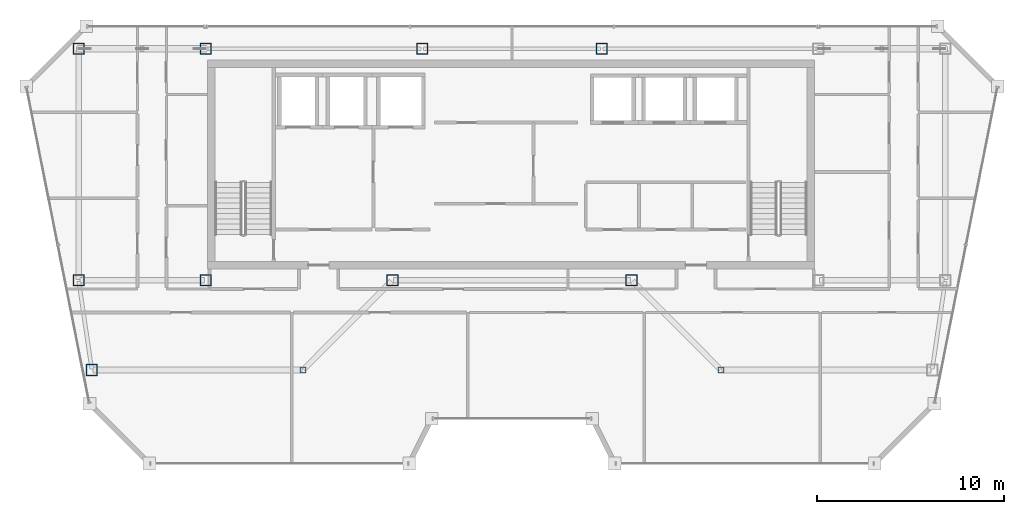
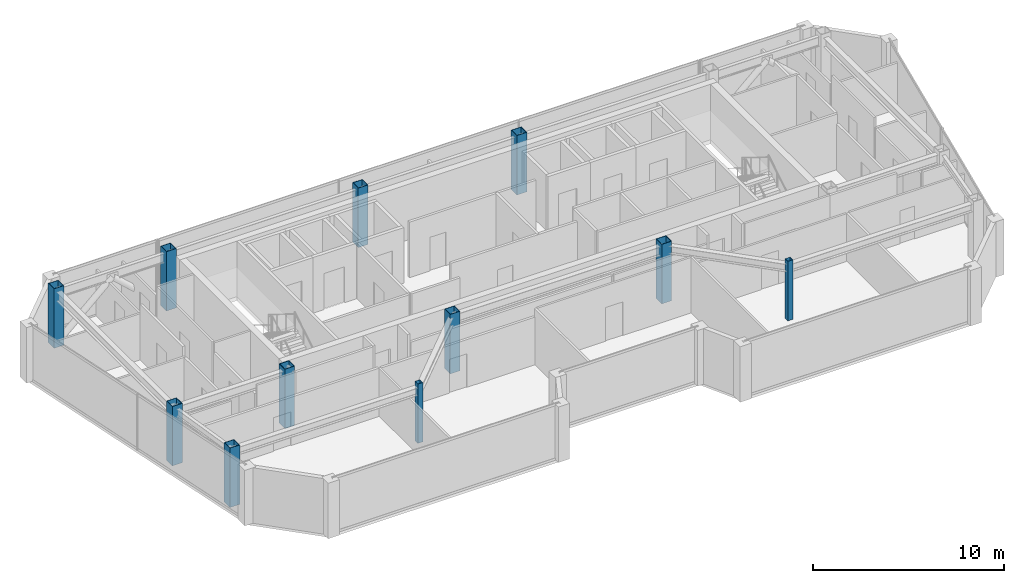
# One storey, part 1 of 24: 11 columns.
"""IFC4 building model written with IfcOpenShell, lengths in metres."""

from ifc_helpers import new_model, si_unit, direction, frame, origin, origin_2d, place, context, subcontext, project, spatial, hollow_rectangle, extrude, material, material_profile, profile_set, type_object, element, save


model = new_model("IFC4")

# Units and contexts
model_context = context("Model", 3, precision=1e-05, world=origin(), true_north=direction((0.0, 1.0)))
body_context = subcontext(model_context, "Body", "Model", "MODEL_VIEW")
ifc_project = project(units=[si_unit("LENGTHUNIT", "METRE"), si_unit("AREAUNIT", "SQUARE_METRE"), si_unit("VOLUMEUNIT", "CUBIC_METRE"), si_unit("PLANEANGLEUNIT", "RADIAN"), si_unit("MASSUNIT", "GRAM", prefix="KILO")], contexts=[model_context])

# Site, building, storey
site_placement = place(None, origin())
site = spatial("IfcSite", under=ifc_project, at=site_placement, CompositionType="ELEMENT")
building_placement = place(site_placement, origin())
building = spatial("IfcBuilding", under=site, at=building_placement, Name="Saevonmaru Cultural Tower", CompositionType="ELEMENT")
storey_placement = place(building_placement, frame((0.0, 0.0, 299.0)))
storey = spatial("IfcBuildingStorey", under=building, at=storey_placement, Name="L71", CompositionType="ELEMENT", Elevation=299.0)

# Columns
ifc_material = material(Name="Steel SM355", Category="steel")
ifc_material_profile_1 = material_profile(ifc_material, hollow_rectangle(XDim=0.60009765625, YDim=0.60009765625, WallThickness=0.028076171875, at=origin_2d()), Name="BOX-600x600x28")
ifc_profile_set_1 = profile_set([ifc_material_profile_1], Name="Steel SM355")
column_type_1 = type_object("IfcColumnType", Name="COL-BOX-600", PredefinedType="COLUMN", material=ifc_profile_set_1)
for number, where, z_axis, x_axis, name in (
    (1, (6.800048828125, 54.800048828125, 0.0), (0.0, 0.0, 1.0), (1.0, 0.0, 0.0), "L71 Column TC-N1N"),
    (2, (13.60009765625, 54.800048828125, 0.0), (0.0, 0.0, 1.0), (1.0, 0.0, 0.0), "L71 Column TC-N2N"),
    (3, (25.199951171875, 54.800048828125, 0.0), (0.0, 0.0, 1.0), (1.0, 0.0, 0.0), "L71 Column TC-N3N"),
    (4, (34.800048828125, 54.800048828125, 0.0), (0.0, 0.0, 1.0), (1.0, 0.0, 0.0), "L71 Column TC-N4N"),
    (5, (6.800048828125, 42.39990234375, 0.0), (0.0, 0.0, 1.0), (1.0, 0.0, 0.0), "L71 Column TC-S1C"),
    (6, (13.60009765625, 42.39990234375, 0.0), (0.0, 0.0, 1.0), (1.0, 0.0, 0.0), "L71 Column TC-S2C"),
    (7, (23.60009765625, 42.39990234375, 0.0), (0.0, 0.0, 1.0), (1.0, 0.0, 0.0), "L71 Column TC-S3C"),
    (8, (36.39990234375, 42.39990234375, 0.0), (0.0, 0.0, 1.0), (1.0, 0.0, 0.0), "L71 Column TC-S4C"),
    (9, (7.508056640625, 37.60009765625, 0.0), (0.0, 0.0, 1.0), (1.0, 0.0, 0.0), "L71 Column TC-WO-Y376"),
):
    element("IfcColumn", number, at=place(storey_placement, frame(where, z_axis=z_axis, x_axis=x_axis)), inside=storey, type_object=column_type_1, Name=name, PredefinedType="COLUMN", context=body_context, shape_type="SweptSolid", body=[
        extrude(hollow_rectangle(XDim=0.60009765625, YDim=0.60009765625, WallThickness=0.028076171875, at=origin_2d()), origin(), (0.0, 0.0, 1.0), 3.800048828125),
    ])
ifc_material_profile_2 = material_profile(ifc_material, hollow_rectangle(XDim=0.300048828125, YDim=0.300048828125, WallThickness=0.011962890625, at=origin_2d()), Name="SHS-300x300x12")
ifc_profile_set_2 = profile_set([ifc_material_profile_2], Name="Steel SM355")
column_type_2 = type_object("IfcColumnType", Name="COL-SHS-300", PredefinedType="COLUMN", material=ifc_profile_set_2)
for number, where, z_axis, x_axis, name in (
    (10, (18.80810546875, 37.60009765625, 0.0), (0.0, 0.0, 1.0), (1.0, 0.0, 0.0), "L71 Column TC-WI-Y376"),
    (11, (41.19189453125, 37.60009765625, 0.0), (0.0, 0.0, 1.0), (1.0, 0.0, 0.0), "L71 Column TC-EI-Y376"),
):
    element("IfcColumn", number, at=place(storey_placement, frame(where, z_axis=z_axis, x_axis=x_axis)), inside=storey, type_object=column_type_2, Name=name, PredefinedType="COLUMN", context=body_context, shape_type="SweptSolid", body=[
        extrude(hollow_rectangle(XDim=0.300048828125, YDim=0.300048828125, WallThickness=0.011962890625, at=origin_2d()), origin(), (0.0, 0.0, 1.0), 3.800048828125),
    ])

save(model, "model.ifc")
